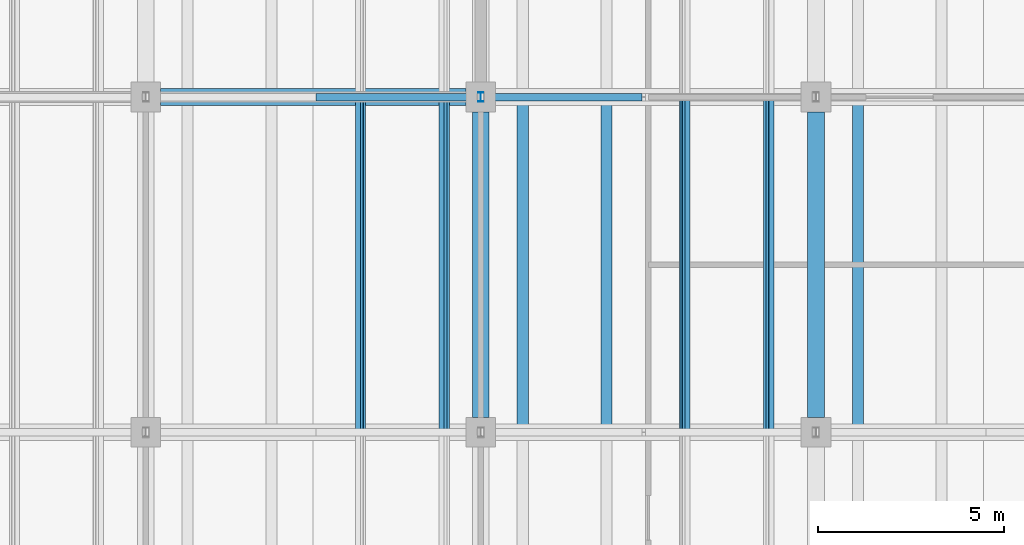
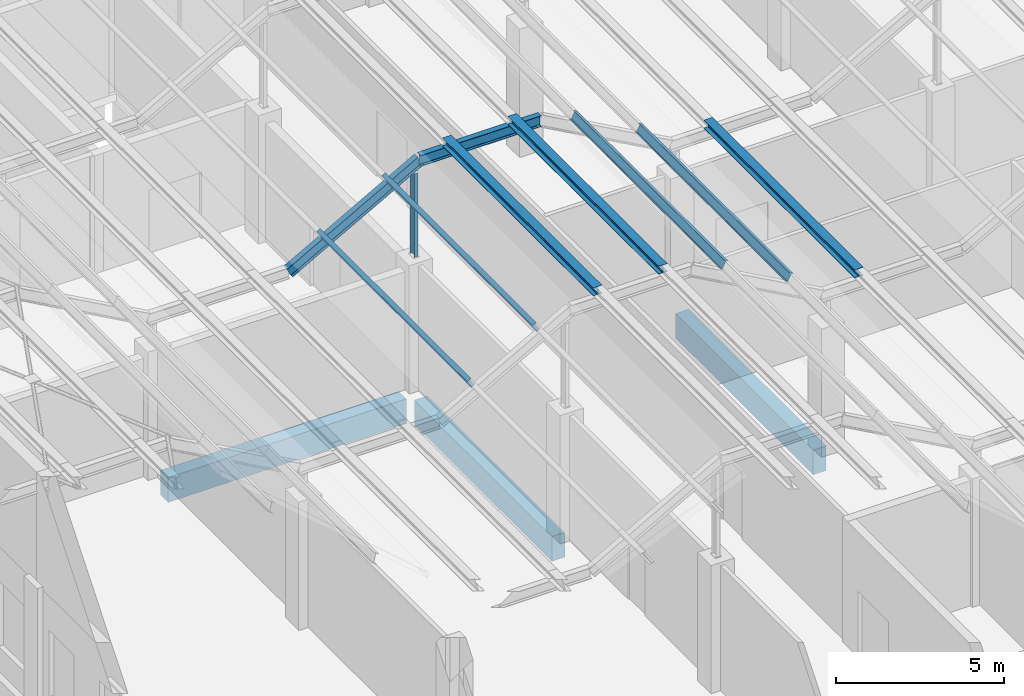
# One storey, part 56 of 437: 10 members, 3 beams.
"""IFC4 building model written with IfcOpenShell, lengths in metres."""

from ifc_helpers import new_model, si_unit, direction, frame, origin, origin_2d, place, context, subcontext, project, spatial, rectangle, i_section, extrude, material, material_profile, profile_set, type_object, element, save


model = new_model("IFC4")

# Units and contexts
model_context = context("Model", 3, precision=1e-05, world=origin(), true_north=direction((0.0, 1.0)))
body_context = subcontext(model_context, "Body", "Model", "MODEL_VIEW")
ifc_project = project(units=[si_unit("LENGTHUNIT", "METRE"), si_unit("AREAUNIT", "SQUARE_METRE"), si_unit("VOLUMEUNIT", "CUBIC_METRE"), si_unit("PLANEANGLEUNIT", "RADIAN"), si_unit("MASSUNIT", "GRAM", prefix="KILO")], contexts=[model_context])

# Site, building, storey
site_placement = place(None, origin())
site = spatial("IfcSite", under=ifc_project, at=site_placement, CompositionType="ELEMENT")
building_placement = place(site_placement, origin())
building = spatial("IfcBuilding", under=site, at=building_placement, Name="Opaline Strait Convention Centre", CompositionType="ELEMENT")
storey_placement = place(building_placement, frame((0.0, 0.0, 11.5)))
storey = spatial("IfcBuildingStorey", under=building, at=storey_placement, Name="L02", CompositionType="ELEMENT", Elevation=11.5)

# Members
ifc_material_1 = material(Name="Steel Q355B", Category="steel")
ifc_material_profile_1 = material_profile(ifc_material_1, i_section(OverallWidth=0.300048828125, OverallDepth=0.300048828125, WebThickness=0.010009765625, FlangeThickness=0.014892578125, FilletRadius=0.012939453125, at=origin_2d()), Name="HW 300x300x10x15")
ifc_profile_set_1 = profile_set([ifc_material_profile_1], Name="Steel Q355B")
member_type_1 = type_object("IfcMemberType", Name="Crest purlin HW 300x300x10x15", PredefinedType="PURLIN", material=ifc_profile_set_1)
for number, where, z_axis, x_axis, name in (
    (1, (28.125, 72.0, 8.449951171875), (0.0, 1.0, 0.0), (-1.0, 0.0, 0.0), "RU1 purlin facet 5 line 1"),
    (2, (30.375, 72.0, 8.449951171875), (0.0, 1.0, 0.0), (-1.0, 0.0, 0.0), "RU1 purlin facet 5 line 2"),
    (3, (37.125, 72.0, 5.949951171875), (0.0, 1.0, 0.0), (-1.0, 0.0, 0.0), "RU1 purlin facet 7 line 1"),
):
    element("IfcMember", number, at=place(storey_placement, frame(where, z_axis=z_axis, x_axis=x_axis)), inside=storey, type_object=member_type_1, Name=name, PredefinedType="PURLIN", context=body_context, shape_type="SweptSolid", body=[
        extrude(i_section(OverallWidth=0.300048828125, OverallDepth=0.300048828125, WebThickness=0.010009765625, FlangeThickness=0.014892578125, FilletRadius=0.012939453125, at=origin_2d()), origin(), (0.0, 0.0, 1.0), 9.0),
    ])

# Beams
ifc_material_2 = material(Name="Concrete C35", Category="concrete")
ifc_material_profile_2 = material_profile(ifc_material_2, rectangle(XDim=0.449951171875, YDim=0.89990234375, at=origin_2d()), Name="RC 450x900")
ifc_profile_set_2 = profile_set([ifc_material_profile_2], Name="Concrete C35")
beam_type = type_object("IfcBeamType", Name="RC beam 450x900 C35", PredefinedType="BEAM", material=ifc_profile_set_2)
for number, where, z_axis, x_axis, name in (
    (4, (18.39990234375, 81.0, -0.72998046875), (1.0, 0.0, 0.0), (0.0, 1.0, 0.0), "XB1 L02 18/81-27/81"),
    (5, (27.0, 72.39990234375, -0.72998046875), (0.0, 1.0, 0.0), (-1.0, 0.0, 0.0), "XB1 L02 27/72-27/81"),
    (6, (36.0, 72.39990234375, -0.72998046875), (0.0, 1.0, 0.0), (-1.0, 0.0, 0.0), "XB1 L02 36/72-36/81"),
):
    element("IfcBeam", number, at=place(storey_placement, frame(where, z_axis=z_axis, x_axis=x_axis)), inside=storey, type_object=beam_type, Name=name, PredefinedType="BEAM", context=body_context, shape_type="SweptSolid", body=[
        extrude(rectangle(XDim=0.449951171875, YDim=0.89990234375, at=origin_2d()), origin(), (0.0, 0.0, 1.0), 8.2001953125),
    ])

# Members
ifc_material_profile_3 = material_profile(ifc_material_1, i_section(OverallWidth=0.125, OverallDepth=0.25, WebThickness=0.006103515625, FlangeThickness=0.009033203125, FilletRadius=0.008056640625, at=origin_2d()), Name="HN 250x125x6x9")
ifc_profile_set_3 = profile_set([ifc_material_profile_3], Name="Steel Q355B")
member_type_2 = type_object("IfcMemberType", Name="Roof post HN 250x125x6x9", PredefinedType="STRUT", material=ifc_profile_set_3)
member_1_placement = place(storey_placement, frame((27.0, 81.0, 4.68994140625), z_axis=(0.0, 0.0, 1.0), x_axis=(1.0, 0.0, 0.0)))
element("IfcMember", 7, at=member_1_placement, inside=storey, type_object=member_type_2, Name="RP1 roof post at 27/81", PredefinedType="STRUT", context=body_context, shape_type="SweptSolid", body=[
    extrude(i_section(OverallWidth=0.125, OverallDepth=0.25, WebThickness=0.006103515625, FlangeThickness=0.009033203125, FilletRadius=0.008056640625, at=origin_2d()), origin(), (0.0, 0.0, 1.0), 3.031005859375),
])
ifc_material_profile_4 = material_profile(ifc_material_1, i_section(OverallWidth=0.14990234375, OverallDepth=0.300048828125, WebThickness=0.006591796875, FlangeThickness=0.009033203125, FilletRadius=0.012939453125, at=origin_2d()), Name="HN 300x150x6.5x9")
ifc_profile_set_4 = profile_set([ifc_material_profile_4], Name="Steel Q355B")
member_type_3 = type_object("IfcMemberType", Name="Roof purlin HN 300x150x6.5x9", PredefinedType="PURLIN", material=ifc_profile_set_4)
for number, where, z_axis, x_axis, name in (
    (8, (23.770751953125, 72.0, 6.61279296875), (0.0, 1.0, 0.0), (-0.874157310866, 0.0, -0.485642868639), "RU1 purlin facet 4 line 1"),
    (9, (26.020751953125, 72.0, 7.86279296875), (0.0, 1.0, 0.0), (-0.874157310866, 0.0, -0.485642868639), "RU1 purlin facet 4 line 2"),
    (10, (32.479248046875, 72.0, 7.86279296875), (0.0, 1.0, 0.0), (-0.874157310866, 0.0, 0.485642868639), "RU1 purlin facet 6 line 1"),
    (11, (34.729248046875, 72.0, 6.61279296875), (0.0, 1.0, 0.0), (-0.874157310866, 0.0, 0.485642868639), "RU1 purlin facet 6 line 2"),
):
    element("IfcMember", number, at=place(storey_placement, frame(where, z_axis=z_axis, x_axis=x_axis)), inside=storey, type_object=member_type_3, Name=name, PredefinedType="PURLIN", context=body_context, shape_type="SweptSolid", body=[
        extrude(i_section(OverallWidth=0.14990234375, OverallDepth=0.300048828125, WebThickness=0.006591796875, FlangeThickness=0.009033203125, FilletRadius=0.012939453125, at=origin_2d()), origin(), (0.0, 0.0, 1.0), 9.0),
    ])
ifc_material_profile_5 = material_profile(ifc_material_1, i_section(OverallWidth=0.199951171875, OverallDepth=0.39990234375, WebThickness=0.008056640625, FlangeThickness=0.012939453125, FilletRadius=0.012939453125, at=origin_2d()), Name="HN 400x200x8x13")
ifc_profile_set_5 = profile_set([ifc_material_profile_5], Name="Steel Q355B")
member_type_4 = type_object("IfcMemberType", Name="Roof rafter HN 400x200x8x13", PredefinedType="RAFTER", material=ifc_profile_set_5)
member_2_placement = place(storey_placement, frame((22.66845703125, 81.0, 5.60009765625), z_axis=(0.874157276122, 0.0, 0.485642931179), x_axis=(0.0, 1.0, 0.0)))
element("IfcMember", 12, at=member_2_placement, inside=storey, type_object=member_type_4, Name="RR1 rafter line 9 facet 5", PredefinedType="RAFTER", context=body_context, shape_type="SweptSolid", body=[
    extrude(i_section(OverallWidth=0.199951171875, OverallDepth=0.39990234375, WebThickness=0.008056640625, FlangeThickness=0.012939453125, FilletRadius=0.012939453125, at=origin_2d()), origin(), (0.0, 0.0, 1.0), 5.147705078125),
])
member_3_placement = place(storey_placement, frame((27.16845703125, 81.0, 8.10009765625), z_axis=(1.0, 0.0, 0.0), x_axis=(0.0, 1.0, 0.0)))
element("IfcMember", 13, at=member_3_placement, inside=storey, type_object=member_type_4, Name="RR1 rafter line 9 facet 6", PredefinedType="RAFTER", context=body_context, shape_type="SweptSolid", body=[
    extrude(i_section(OverallWidth=0.199951171875, OverallDepth=0.39990234375, WebThickness=0.008056640625, FlangeThickness=0.012939453125, FilletRadius=0.012939453125, at=origin_2d()), origin(), (0.0, 0.0, 1.0), 4.1630859375),
])

save(model, "model.ifc")
